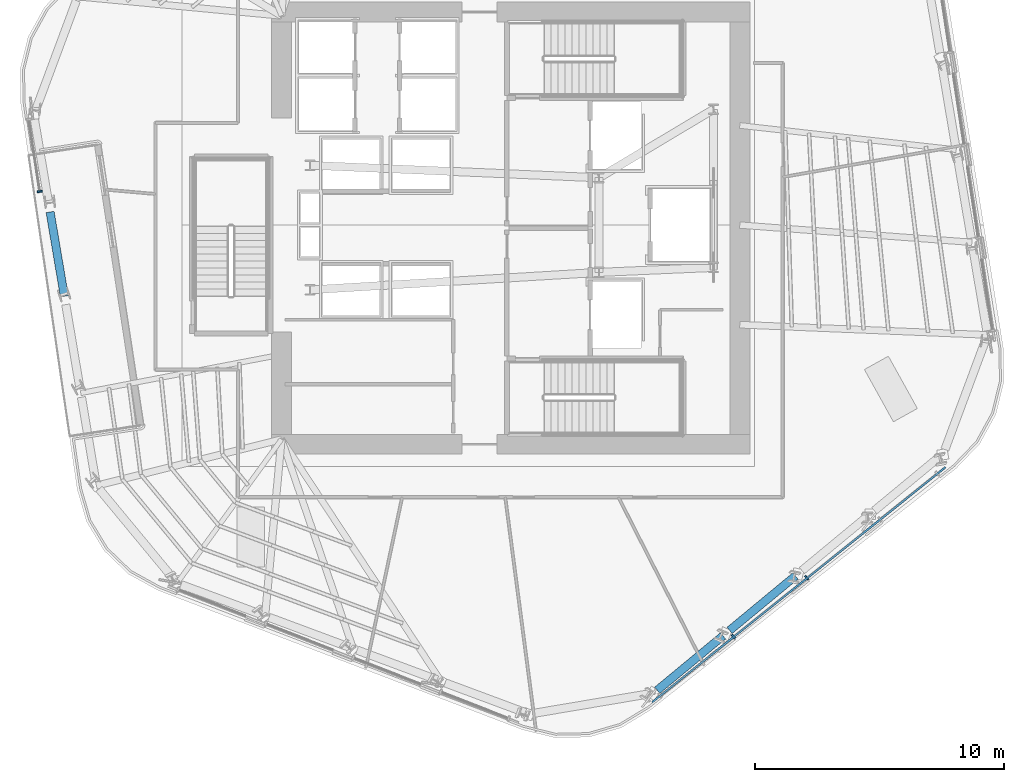
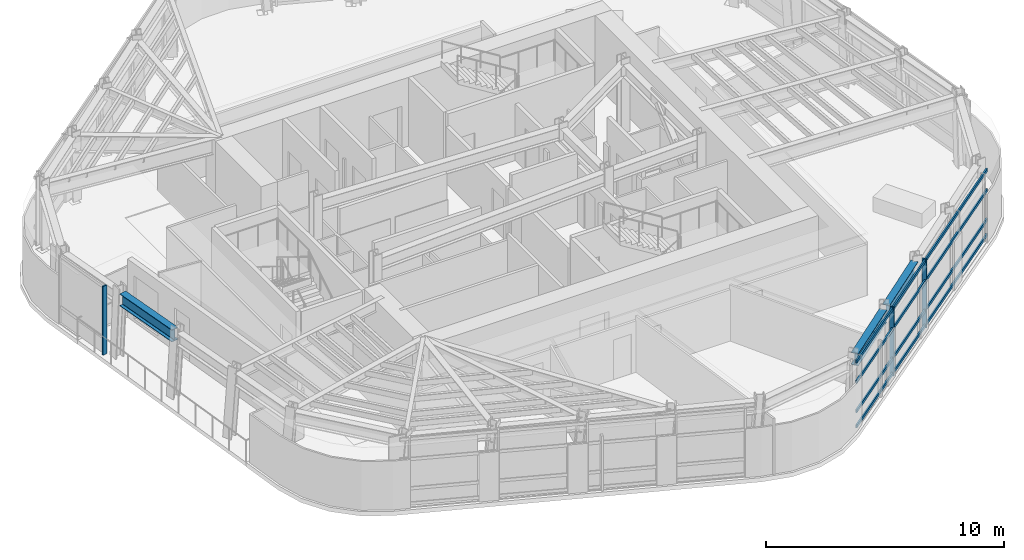
# One storey, part 3 of 15: 7 members, 3 beams, 2 elements without a shape of their own.
"""IFC4 building model written with IfcOpenShell, lengths in metres."""

from ifc_helpers import new_model, si_unit, direction, frame, origin, origin_2d, place, context, subcontext, project, spatial, rectangle, i_section, extrude, material, layer, layer_set, material_profile, profile_set, type_object, element, aggregate, save


model = new_model("IFC4")

# Units and contexts
model_context = context("Model", 3, precision=1e-05, world=origin(), true_north=direction((0.0, 1.0)))
body_context = subcontext(model_context, "Body", "Model", "MODEL_VIEW")
ifc_project = project(units=[si_unit("LENGTHUNIT", "METRE"), si_unit("AREAUNIT", "SQUARE_METRE"), si_unit("VOLUMEUNIT", "CUBIC_METRE"), si_unit("PLANEANGLEUNIT", "RADIAN"), si_unit("MASSUNIT", "GRAM", prefix="KILO")], contexts=[model_context])

# Site, building, storey
site_placement = place(None, origin())
site = spatial("IfcSite", under=ifc_project, at=site_placement, CompositionType="ELEMENT")
building_placement = place(site_placement, origin())
building = spatial("IfcBuilding", under=site, at=building_placement, Name="Valkerne Bourse Tower", CompositionType="ELEMENT")
storey_placement = place(building_placement, frame((0.0, 0.0, 189.39990234375)))
storey = spatial("IfcBuildingStorey", under=building, at=storey_placement, Name="L48", CompositionType="ELEMENT", Elevation=189.39990234375)

# Beams
ifc_material_1 = material(Name="Steel ASTM A992", Category="steel")
ifc_material_profile_1 = material_profile(ifc_material_1, i_section(OverallWidth=0.32763671875, OverallDepth=0.62744140625, WebThickness=0.0166015625, FlangeThickness=0.027587890625, FilletRadius=0.020263671875, at=origin_2d()), Name="W24X146")
ifc_profile_set_1 = profile_set([ifc_material_profile_1], Name="Steel ASTM A992")
beam_type = type_object("IfcBeamType", Name="BM-W24X146", PredefinedType="SPANDREL", material=ifc_profile_set_1)
beam_placement = place(storey_placement, frame((28.310302734375, 27.52490234375, 3.206298828125), z_axis=(0.16678700104, -0.985992949409, 0.0), x_axis=(0.985992949409, 0.16678700104, 0.0)))
element("IfcBeam", 1, at=beam_placement, inside=storey, type_object=beam_type, Name="L48 Hexagonal Spandrel Ring Beam 11", PredefinedType="SPANDREL", context=body_context, shape_type="SweptSolid", body=[
    extrude(i_section(OverallWidth=0.32763671875, OverallDepth=0.62744140625, WebThickness=0.0166015625, FlangeThickness=0.027587890625, FilletRadius=0.020263671875, at=origin_2d()), origin(), (0.0, 0.0, 1.0), 3.43115234375),
])
for number, where, z_axis, x_axis, name in (
    (2, (52.684814453125, 8.3212890625, 3.206298828125), (0.770502780031, 0.637436636823, 0.0), (-0.637436636823, 0.770502780031, 0.0), "L48 Hexagonal Spandrel Ring Beam 20"),
    (3, (55.59033203125, 10.72509765625, 3.206298828125), (0.770502780031, 0.637436636823, 0.0), (-0.637436636823, 0.770502780031, 0.0), "L48 Hexagonal Spandrel Ring Beam 21"),
):
    element("IfcBeam", number, at=place(storey_placement, frame(where, z_axis=z_axis, x_axis=x_axis)), inside=storey, type_object=beam_type, Name=name, PredefinedType="SPANDREL", context=body_context, shape_type="SweptSolid", body=[
        extrude(i_section(OverallWidth=0.32763671875, OverallDepth=0.62744140625, WebThickness=0.0166015625, FlangeThickness=0.027587890625, FilletRadius=0.020263671875, at=origin_2d()), origin(), (0.0, 0.0, 1.0), 3.430908203125),
    ])

# Curtain wall, member
ifc_material_2 = material(Name="Aluminium AA 6063-T6", Category="aluminium")
ifc_layer = layer(ifc_material_2, 0.235107421875)
ifc_layer_set = layer_set([ifc_layer], Name="Aluminium AA 6063-T6")
curtain_wall_type = type_object("IfcCurtainWallType", Name="CW-03", PredefinedType="NOTDEFINED", material=ifc_layer_set)
curtain_wall_1_placement = place(storey_placement, origin())
curtain_wall_1 = element("IfcCurtainWall", 4, at=curtain_wall_1_placement, inside=storey, type_object=curtain_wall_type, Name="L48 Hexagonal Stick Curtain Wall Face 3", PredefinedType="NOTDEFINED")
ifc_material_profile_2 = material_profile(ifc_material_2, rectangle(XDim=0.074951171875, YDim=0.199951171875, at=origin_2d()), Name="CWM-75X200")
ifc_profile_set_2 = profile_set([ifc_material_profile_2], Name="Aluminium AA 6063-T6")
member_type_1 = type_object("IfcMemberType", Name="CW-MUL-220X75", PredefinedType="MULLION", material=ifc_profile_set_2)
member_1_placement = place(storey_placement, frame((27.8955078125, 28.346923828125, 0.0), z_axis=(0.0, 0.0, 1.0), x_axis=(0.151260054686, -0.988494003956, 0.0)))
member_1 = element("IfcMember", 5, at=member_1_placement, type_object=member_type_1, Name="CW-L48-F3 Jamb Mullion 00B", PredefinedType="MULLION", context=body_context, shape_type="SweptSolid", body=[
    extrude(rectangle(XDim=0.074951171875, YDim=0.199951171875, at=origin_2d()), origin(), (0.0, 0.0, 1.0), 3.52001953125),
])
aggregate(curtain_wall_1, [member_1])

# Curtain wall, members
curtain_wall_2_placement = place(storey_placement, origin())
curtain_wall_2 = element("IfcCurtainWall", 6, at=curtain_wall_2_placement, inside=storey, type_object=curtain_wall_type, Name="L48 Hexagonal Stick Curtain Wall Face 5", PredefinedType="NOTDEFINED")
member_2_placement = place(storey_placement, frame((55.7412109375, 10.47998046875, 0.0), z_axis=(0.0, 0.0, 1.0), x_axis=(0.780428802886, 0.625244659014, 0.0)))
member_2 = element("IfcMember", 7, at=member_2_placement, type_object=member_type_1, Name="CW-L48-F5 Jamb Mullion 01A", PredefinedType="MULLION", context=body_context, shape_type="SweptSolid", body=[
    extrude(rectangle(XDim=0.074951171875, YDim=0.199951171875, at=origin_2d()), origin(), (0.0, 0.0, 1.0), 3.52001953125),
])
member_3_placement = place(storey_placement, frame((58.684326171875, 12.837890625, 0.0), z_axis=(0.0, 0.0, 1.0), x_axis=(0.780428802886, 0.625244659014, 0.0)))
member_3 = element("IfcMember", 8, at=member_3_placement, type_object=member_type_1, Name="CW-L48-F5 Jamb Mullion 02A", PredefinedType="MULLION", context=body_context, shape_type="SweptSolid", body=[
    extrude(rectangle(XDim=0.074951171875, YDim=0.199951171875, at=origin_2d()), origin(), (0.0, 0.0, 1.0), 3.52001953125),
])
ifc_material_profile_3 = material_profile(ifc_material_2, rectangle(XDim=0.074951171875, YDim=0.14990234375, at=origin_2d()), Name="CWT-75X150")
ifc_profile_set_3 = profile_set([ifc_material_profile_3], Name="Aluminium AA 6063-T6")
member_type_2 = type_object("IfcMemberType", Name="CW-TRN-180X65", PredefinedType="USERDEFINED", material=ifc_profile_set_3)
member_4_placement = place(storey_placement, frame((52.48291015625, 7.843994140625, 0.1201171875), z_axis=(0.78042963588, 0.625243619272, 0.0), x_axis=(-0.625243619272, 0.78042963588, 0.0)))
member_4 = element("IfcMember", 9, at=member_4_placement, type_object=member_type_2, Name="CW-L48-F5 Continuous Face Transom 1", ObjectType="TRANSOM", PredefinedType="USERDEFINED", context=body_context, shape_type="SweptSolid", body=[
    extrude(rectangle(XDim=0.074951171875, YDim=0.14990234375, at=origin_2d()), origin(), (0.0, 0.0, 1.0), 15.083984375),
])
member_5_placement = place(storey_placement, frame((52.48291015625, 7.843994140625, 0.900146484375), z_axis=(0.78042963588, 0.625243619272, 0.0), x_axis=(-0.625243619272, 0.78042963588, 0.0)))
member_5 = element("IfcMember", 10, at=member_5_placement, type_object=member_type_2, Name="CW-L48-F5 Continuous Face Transom 2", ObjectType="TRANSOM", PredefinedType="USERDEFINED", context=body_context, shape_type="SweptSolid", body=[
    extrude(rectangle(XDim=0.074951171875, YDim=0.14990234375, at=origin_2d()), origin(), (0.0, 0.0, 1.0), 15.083984375),
])
member_6_placement = place(storey_placement, frame((52.48291015625, 7.843994140625, 2.400146484375), z_axis=(0.78042963588, 0.625243619272, 0.0), x_axis=(-0.625243619272, 0.78042963588, 0.0)))
member_6 = element("IfcMember", 11, at=member_6_placement, type_object=member_type_2, Name="CW-L48-F5 Continuous Face Transom 3", ObjectType="TRANSOM", PredefinedType="USERDEFINED", context=body_context, shape_type="SweptSolid", body=[
    extrude(rectangle(XDim=0.074951171875, YDim=0.14990234375, at=origin_2d()), origin(), (0.0, 0.0, 1.0), 15.083984375),
])
member_7_placement = place(storey_placement, frame((52.48291015625, 7.843994140625, 3.440185546875), z_axis=(0.78042963588, 0.625243619272, 0.0), x_axis=(-0.625243619272, 0.78042963588, 0.0)))
member_7 = element("IfcMember", 12, at=member_7_placement, type_object=member_type_2, Name="CW-L48-F5 Continuous Face Transom 4", ObjectType="TRANSOM", PredefinedType="USERDEFINED", context=body_context, shape_type="SweptSolid", body=[
    extrude(rectangle(XDim=0.074951171875, YDim=0.14990234375, at=origin_2d()), origin(), (0.0, 0.0, 1.0), 15.083984375),
])
aggregate(curtain_wall_2, [member_4, member_5, member_6, member_7, member_2, member_3])

save(model, "model.ifc")
